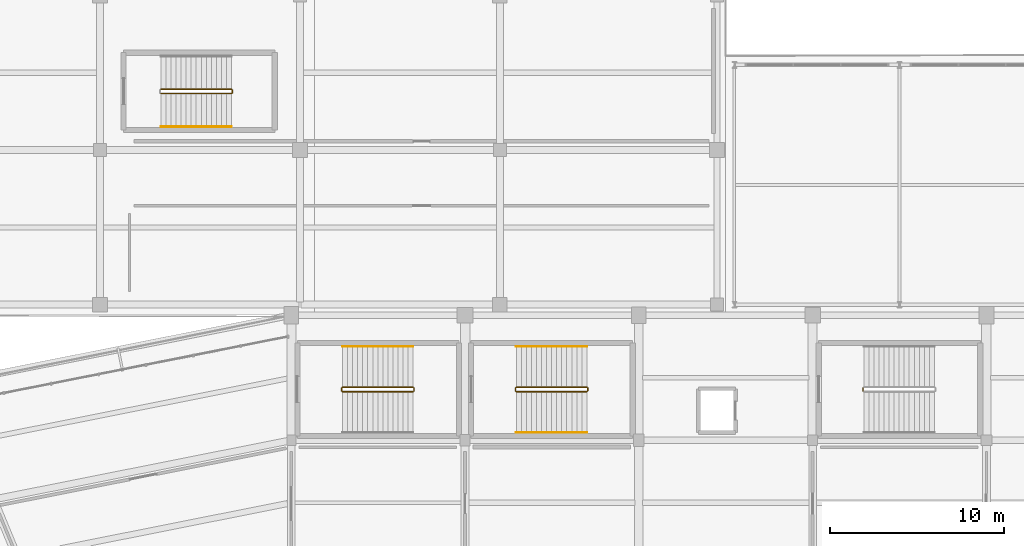
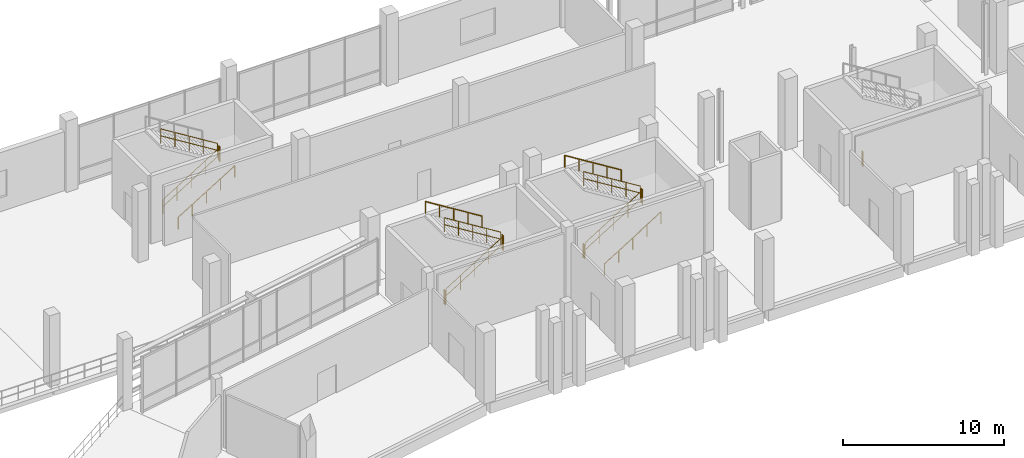
# One storey, part 110 of 114: 16 railings.
"""IFC4 building model written with IfcOpenShell, lengths in metres."""

import ifcopenshell
import ifcopenshell.guid

model = None  # the IFC model being written
_history = None  # IfcOwnerHistory: only IFC2X3 demands one
_inside = {}  # id of a spatial element -> (the spatial element, [elements in it])
_under = {}  # id of a project, library or spatial element -> (it, [spatial elements below it])
_declared = {}  # id of a project -> (the project, [libraries it declares])
_typed = {}  # id of a type object -> (the type object, [elements of that type])
_made_of = {}  # id of a material, layer set ... -> (it, [elements and type objects made of it])


def new_model(schema):
    """Start an empty IFC model of exactly this schema.

    Asked for "IFC4X3", IfcOpenShell would pick the latest addendum, in which some entities
    have other attributes; the version numbers below select the first issue.
    IFC2X3 requires an IfcOwnerHistory on every rooted entity: one is made here for all.
    """
    global model, _history
    if schema == "IFC4X3":
        model = ifcopenshell.file(schema_version=(4, 3, 0, 0))
    else:
        model = ifcopenshell.file(schema=schema)
    _inside.clear()
    _under.clear()
    _declared.clear()
    _typed.clear()
    _made_of.clear()
    _history = None
    if model.schema == "IFC2X3":
        org = make("IfcOrganization", Name="unknown")
        user = make(
            "IfcPersonAndOrganization",
            ThePerson=make("IfcPerson", FamilyName="unknown"),
            TheOrganization=org,
        )
        app = make(
            "IfcApplication",
            ApplicationDeveloper=org,
            Version="unknown",
            ApplicationFullName="unknown",
            ApplicationIdentifier="unknown",
        )
        _history = make(
            "IfcOwnerHistory",
            OwningUser=user,
            OwningApplication=app,
            ChangeAction="ADDED",
            CreationDate=0,
        )
    return model


def make(cls, **values):
    """One entity of the class cls with the attributes given. An attribute that is None is left unset."""
    return model.create_entity(
        cls, **{name: value for name, value in values.items() if value is not None}
    )


def rooted(cls, **values):
    """An entity with a GlobalId (a new one), such as an element, a storey or a relation."""
    return make(cls, GlobalId=ifcopenshell.guid.new(), OwnerHistory=_history, **values)


def si_unit(unit_type, name, prefix=None):
    """IfcSIUnit, for example si_unit("LENGTHUNIT", "METRE", prefix="MILLI")."""
    return make("IfcSIUnit", UnitType=unit_type, Prefix=prefix, Name=name)


def assignment(units):
    """IfcUnitAssignment: the units of a project."""
    return None if units is None else make("IfcUnitAssignment", Units=units)


def point(xyz):
    """IfcCartesianPoint."""
    return None if xyz is None else make("IfcCartesianPoint", Coordinates=xyz)


def direction(xyz):
    """IfcDirection."""
    return None if xyz is None else make("IfcDirection", DirectionRatios=xyz)


def frame(location, z_axis=None, x_axis=None):
    """IfcAxis2Placement3D, a coordinate frame: its origin and axes. An axis left out is left unset."""
    return make(
        "IfcAxis2Placement3D",
        Location=point(location),
        Axis=direction(z_axis),
        RefDirection=direction(x_axis),
    )


def frame_2d(location, x_axis=None):
    """IfcAxis2Placement2D, a coordinate frame in the plane: its origin and x axis."""
    return make(
        "IfcAxis2Placement2D", Location=point(location), RefDirection=direction(x_axis)
    )


def origin():
    """The frame at (0, 0, 0) with its axes left unset."""
    return frame((0.0, 0.0, 0.0))


def origin_2d():
    """The frame at (0, 0) in the plane with its x axis left unset."""
    return frame_2d((0.0, 0.0))


def place(relative_to, where):
    """IfcLocalPlacement: puts the frame where relative to a parent placement (None: the world)."""
    return make(
        "IfcLocalPlacement", PlacementRelTo=relative_to, RelativePlacement=where
    )


def context(
    kind, dimensions, precision=None, world=None, true_north=None, identifier=None
):
    """IfcGeometricRepresentationContext, for example the 3D "Model" context."""
    return make(
        "IfcGeometricRepresentationContext",
        ContextIdentifier=identifier,
        ContextType=kind,
        CoordinateSpaceDimension=dimensions,
        Precision=precision,
        WorldCoordinateSystem=world,
        TrueNorth=true_north,
    )


def subcontext(parent, identifier, kind, view, scale=None):
    """IfcGeometricRepresentationSubContext, for example "Body" below "Model"."""
    return make(
        "IfcGeometricRepresentationSubContext",
        ContextIdentifier=identifier,
        ContextType=kind,
        ParentContext=parent,
        TargetScale=scale,
        TargetView=view,
    )


def project(units=None, contexts=None):
    """IfcProject with its units and contexts."""
    return rooted(
        "IfcProject",
        Name="project",
        RepresentationContexts=contexts,
        UnitsInContext=assignment(units),
    )


def spatial(cls, under=None, at=None, **own):
    """A site, building, storey or space (cls), placed at a placement, below another one or the project."""
    s = rooted(cls, ObjectPlacement=at, **own)
    if under is not None:
        _under.setdefault(under.id(), (under, []))[1].append(s)
    return s


def profile(cls, at=None, kind="AREA", **sizes):
    """A parametric profile (cls). Its sizes go by their IFC names, for example OverallWidth=200.0."""
    return make(cls, ProfileType=kind, Position=at, **sizes)


def circle(**sizes):
    """IfcCircleProfileDef."""
    return profile("IfcCircleProfileDef", **sizes)


def extrude(swept, where, along, depth):
    """IfcExtrudedAreaSolid: the profile swept, set in the frame where, extruded along a direction by depth."""
    return make(
        "IfcExtrudedAreaSolid",
        SweptArea=swept,
        Position=where,
        ExtrudedDirection=direction(along),
        Depth=depth,
    )


def shape(context_of_items, identifier, shape_type, items):
    """IfcShapeRepresentation: the items that make up one representation, for example the "Body"."""
    return make(
        "IfcShapeRepresentation",
        ContextOfItems=context_of_items,
        RepresentationIdentifier=identifier,
        RepresentationType=shape_type,
        Items=items,
    )


def material(Name=None, Category=None):
    """IfcMaterial."""
    return make("IfcMaterial", Name=Name, Category=Category)


def layer(
    of_material, thickness, ventilated=None, Name=None, Category=None, Priority=None
):
    """IfcMaterialLayer: one layer of a wall or slab, of a material (None: an air gap)."""
    return make(
        "IfcMaterialLayer",
        Material=of_material,
        LayerThickness=thickness,
        IsVentilated=ventilated,
        Name=Name,
        Category=Category,
        Priority=Priority,
    )


def layer_set(layers, Name=None):
    """IfcMaterialLayerSet."""
    return make("IfcMaterialLayerSet", MaterialLayers=layers, LayerSetName=Name)


def made_of(thing, what):
    """Note that an element or type object is made of a material, layer set ...; save() writes the relation."""
    if what is not None:
        _made_of.setdefault(what.id(), (what, []))[1].append(thing)
    return thing


def type_object(cls, material=None, **own):
    """A type object (cls), such as IfcWallType, which elements share."""
    return made_of(rooted(cls, **own), material)


def element(
    cls,
    number,
    at=None,
    inside=None,
    cuts=None,
    type_object=None,
    material=None,
    context=None,
    identifier="Body",
    shape_type=None,
    held_by="IfcProductDefinitionShape",
    body=None,
    shapes=None,
    **own,
):
    """One element of the class cls, such as IfcWall. Its Tag is "e" and its number.

    at: its placement. inside: the storey or other place that contains it. cuts: it is an
    opening in that element (IfcRelVoidsElement). A single representation is given by context,
    identifier, shape_type and body (its items); several are given by shapes. held_by: the class
    of the entity that holds the representations. save() writes the other relations.
    """
    e = rooted(cls, Tag="e%d" % number, ObjectPlacement=at, **own)
    if body is not None:
        shapes = [shape(context, identifier, shape_type, body)]
    if shapes is not None:
        e.Representation = make(held_by, Representations=shapes)
    if inside is not None:
        _inside.setdefault(inside.id(), (inside, []))[1].append(e)
    if cuts is not None:
        rooted(
            "IfcRelVoidsElement", RelatingBuildingElement=cuts, RelatedOpeningElement=e
        )
    if type_object is not None:
        _typed.setdefault(type_object.id(), (type_object, []))[1].append(e)
    return made_of(e, material)


def aggregate(whole, parts):
    """IfcRelAggregates: a whole, such as a stair, and the parts it consists of."""
    return rooted("IfcRelAggregates", RelatingObject=whole, RelatedObjects=parts)


def save(model, path):
    """Write the relations noted so far, then the file.

    IfcRelAggregates (storeys below a building ...), IfcRelContainedInSpatialStructure (elements
    in a storey), IfcRelDefinesByType, IfcRelAssociatesMaterial and IfcRelDeclares: one each for
    every whole, place, type object, material and project.
    """
    for whole, parts in _under.values():
        aggregate(whole, parts)
    for where, things in _inside.values():
        rooted(
            "IfcRelContainedInSpatialStructure",
            RelatedElements=things,
            RelatingStructure=where,
        )
    for kind, things in _typed.values():
        rooted("IfcRelDefinesByType", RelatedObjects=things, RelatingType=kind)
    for what, things in _made_of.values():
        rooted("IfcRelAssociatesMaterial", RelatedObjects=things, RelatingMaterial=what)
    for by, libraries in _declared.values():
        rooted("IfcRelDeclares", RelatingContext=by, RelatedDefinitions=libraries)
    model.write(path)


model = new_model("IFC4")

# Units and contexts
model_context = context("Model", 3, precision=1e-05, world=origin(), true_north=direction((0.0, 1.0)))
body_context = subcontext(model_context, "Body", "Model", "MODEL_VIEW")
ifc_project = project(units=[si_unit("LENGTHUNIT", "METRE"), si_unit("AREAUNIT", "SQUARE_METRE"), si_unit("VOLUMEUNIT", "CUBIC_METRE"), si_unit("PLANEANGLEUNIT", "RADIAN"), si_unit("MASSUNIT", "GRAM", prefix="KILO")], contexts=[model_context])

# Site, building, storey
site_placement = place(None, origin())
site = spatial("IfcSite", under=ifc_project, at=site_placement, CompositionType="ELEMENT")
building_placement = place(site_placement, origin())
building = spatial("IfcBuilding", under=site, at=building_placement, Name="Candeia Ridge Stadium", CompositionType="ELEMENT")
storey_placement = place(building_placement, frame((0.0, 0.0, 5.39990234375)))
storey = spatial("IfcBuildingStorey", under=building, at=storey_placement, Name="L01", CompositionType="ELEMENT", Elevation=5.39990234375)

# Railings
ifc_material_1 = material(Name="Brushed Stainless Steel", Category="steel")
ifc_layer_1 = layer(ifc_material_1, 0.048095703125, Name="Brushed Stainless Steel", Category="steel")
ifc_layer_set_1 = layer_set([ifc_layer_1], Name="Brushed Stainless Steel")
railing_type_1 = type_object("IfcRailingType", Name="Stair Wall & Flight Handrail 900", PredefinedType="HANDRAIL", material=ifc_layer_set_1)
railing_1_placement = place(storey_placement, frame((78.010009765625, 145.199951171875, 2.880126953125)))
element("IfcRailing", 1, at=railing_1_placement, inside=storey, type_object=railing_type_1, Name="L01 ST01 stair handrail 2", PredefinedType="HANDRAIL", context=body_context, shape_type="SweptSolid", body=[
    extrude(circle(Radius=0.02392578125, at=origin_2d()), frame((0.0, 0.0, 0.8759765625), z_axis=(-0.849641744969, 0.0, 0.527360318194), x_axis=(0.0, -1.0, 0.0)), (0.0, 0.0, 1.0), 4.778564453125),
    extrude(circle(Radius=0.02099609375, at=origin_2d()), origin(), (0.0, 0.0, 1.0), 0.851806640625),
    extrude(circle(Radius=0.02099609375, at=origin_2d()), frame((-1.01513671875, 0.0, 0.6298828125)), (0.0, 0.0, 1.0), 0.851806640625),
    extrude(circle(Radius=0.02099609375, at=origin_2d()), frame((-2.030029296875, 0.0, 1.260009765625)), (0.0, 0.0, 1.0), 0.851806640625),
    extrude(circle(Radius=0.02099609375, at=origin_2d()), frame((-3.044921875, 0.0, 1.89013671875)), (0.0, 0.0, 1.0), 0.851806640625),
    extrude(circle(Radius=0.02099609375, at=origin_2d()), frame((-4.06005859375, 0.0, 2.52001953125)), (0.0, 0.0, 1.0), 0.851806640625),
])
railing_2_placement = place(storey_placement, frame((83.949951171875, 140.25, 0.18017578125)))
element("IfcRailing", 2, at=railing_2_placement, inside=storey, type_object=railing_type_1, Name="L01 ST09 stair handrail 1", PredefinedType="HANDRAIL", context=body_context, shape_type="SweptSolid", body=[
    extrude(circle(Radius=0.02392578125, at=origin_2d()), frame((0.0, 0.0, 0.8759765625), z_axis=(0.849641744969, 0.0, 0.527360318194), x_axis=(0.0, 1.0, 0.0)), (0.0, 0.0, 1.0), 4.778564453125),
    extrude(circle(Radius=0.02099609375, at=origin_2d()), origin(), (0.0, 0.0, 1.0), 0.851806640625),
    extrude(circle(Radius=0.02099609375, at=origin_2d()), frame((1.01513671875, 0.0, 0.6298828125)), (0.0, 0.0, 1.0), 0.851806640625),
    extrude(circle(Radius=0.02099609375, at=origin_2d()), frame((2.030029296875, 0.0, 1.260009765625)), (0.0, 0.0, 1.0), 0.851806640625),
    extrude(circle(Radius=0.02099609375, at=origin_2d()), frame((3.044921875, 0.0, 1.89013671875)), (0.0, 0.0, 1.0), 0.851806640625),
    extrude(circle(Radius=0.02099609375, at=origin_2d()), frame((4.06005859375, 0.0, 2.52001953125)), (0.0, 0.0, 1.0), 0.851806640625),
])
railing_3_placement = place(storey_placement, frame((88.010009765625, 145.199951171875, 2.880126953125)))
element("IfcRailing", 3, at=railing_3_placement, inside=storey, type_object=railing_type_1, Name="L01 ST09 stair handrail 2", PredefinedType="HANDRAIL", context=body_context, shape_type="SweptSolid", body=[
    extrude(circle(Radius=0.02392578125, at=origin_2d()), frame((0.0, 0.0, 0.8759765625), z_axis=(-0.849641744969, 0.0, 0.527360318194), x_axis=(0.0, -1.0, 0.0)), (0.0, 0.0, 1.0), 4.778564453125),
    extrude(circle(Radius=0.02099609375, at=origin_2d()), origin(), (0.0, 0.0, 1.0), 0.851806640625),
    extrude(circle(Radius=0.02099609375, at=origin_2d()), frame((-1.01513671875, 0.0, 0.6298828125)), (0.0, 0.0, 1.0), 0.851806640625),
    extrude(circle(Radius=0.02099609375, at=origin_2d()), frame((-2.030029296875, 0.0, 1.260009765625)), (0.0, 0.0, 1.0), 0.851806640625),
    extrude(circle(Radius=0.02099609375, at=origin_2d()), frame((-3.044921875, 0.0, 1.89013671875)), (0.0, 0.0, 1.0), 0.851806640625),
    extrude(circle(Radius=0.02099609375, at=origin_2d()), frame((-4.06005859375, 0.0, 2.52001953125)), (0.0, 0.0, 1.0), 0.851806640625),
])
railing_4_placement = place(storey_placement, frame((63.5, 157.85009765625, 0.18017578125)))
element("IfcRailing", 4, at=railing_4_placement, inside=storey, type_object=railing_type_1, Name="L01 ST15 stair handrail 1", PredefinedType="HANDRAIL", context=body_context, shape_type="SweptSolid", body=[
    extrude(circle(Radius=0.02392578125, at=origin_2d()), frame((0.0, 0.0, 0.8759765625), z_axis=(0.849641744969, 0.0, 0.527360318194), x_axis=(0.0, 1.0, 0.0)), (0.0, 0.0, 1.0), 4.778564453125),
    extrude(circle(Radius=0.02099609375, at=origin_2d()), origin(), (0.0, 0.0, 1.0), 0.851806640625),
    extrude(circle(Radius=0.02099609375, at=origin_2d()), frame((1.01513671875, 0.0, 0.6298828125)), (0.0, 0.0, 1.0), 0.851806640625),
    extrude(circle(Radius=0.02099609375, at=origin_2d()), frame((2.030029296875, 0.0, 1.260009765625)), (0.0, 0.0, 1.0), 0.851806640625),
    extrude(circle(Radius=0.02099609375, at=origin_2d()), frame((3.044921875, 0.0, 1.89013671875)), (0.0, 0.0, 1.0), 0.851806640625),
    extrude(circle(Radius=0.02099609375, at=origin_2d()), frame((4.06005859375, 0.0, 2.52001953125)), (0.0, 0.0, 1.0), 0.851806640625),
])
ifc_material_2 = material(Name="Galvanized Powder-Coated Steel", Category="steel")
ifc_layer_2 = layer(ifc_material_2, 0.06005859375, Name="Galvanized Powder-Coated Steel", Category="steel")
ifc_layer_set_2 = layer_set([ifc_layer_2], Name="Galvanized Powder-Coated Steel")
railing_type_2 = type_object("IfcRailingType", Name="Stair Well Guardrail 1100", PredefinedType="GUARDRAIL", material=ifc_layer_set_2)
railing_5_placement = place(storey_placement, frame((73.949951171875, 142.60009765625, 0.18017578125)))
element("IfcRailing", 5, at=railing_5_placement, inside=storey, type_object=railing_type_2, Name="L01 ST01 stair guard 1", PredefinedType="GUARDRAIL", context=body_context, shape_type="SweptSolid", body=[
    extrude(circle(Radius=0.02392578125, at=origin_2d()), frame((0.0, 0.0, 1.076171875), z_axis=(0.849641744969, 0.0, 0.527360318194), x_axis=(0.0, 1.0, 0.0)), (0.0, 0.0, 1.0), 4.778564453125),
    extrude(circle(Radius=0.02392578125, at=origin_2d()), frame((0.0, 0.0, 0.550048828125), z_axis=(0.849641744969, 0.0, 0.527360318194), x_axis=(0.0, 1.0, 0.0)), (0.0, 0.0, 1.0), 4.778564453125),
    extrude(circle(Radius=0.02099609375, at=origin_2d()), origin(), (0.0, 0.0, 1.0), 1.052001953125),
    extrude(circle(Radius=0.02099609375, at=origin_2d()), frame((1.01513671875, 0.0, 0.6298828125)), (0.0, 0.0, 1.0), 1.052001953125),
    extrude(circle(Radius=0.02099609375, at=origin_2d()), frame((2.030029296875, 0.0, 1.260009765625)), (0.0, 0.0, 1.0), 1.052001953125),
    extrude(circle(Radius=0.02099609375, at=origin_2d()), frame((3.044921875, 0.0, 1.89013671875)), (0.0, 0.0, 1.0), 1.052001953125),
    extrude(circle(Radius=0.02099609375, at=origin_2d()), frame((4.06005859375, 0.0, 2.52001953125)), (0.0, 0.0, 1.0), 1.052001953125),
])
railing_6_placement = place(storey_placement, frame((78.06005859375, 142.64990234375, 2.7001953125)))
element("IfcRailing", 6, at=railing_6_placement, inside=storey, type_object=railing_type_2, Name="L01 ST01 stair guard 2", PredefinedType="GUARDRAIL", context=body_context, shape_type="SweptSolid", body=[
    extrude(circle(Radius=0.02392578125, at=origin_2d()), frame((0.0, 0.0, 1.076171875), z_axis=(0.0, 1.0, 0.0), x_axis=(-1.0, 0.0, 0.0)), (0.0, 0.0, 1.0), 0.150146484375),
    extrude(circle(Radius=0.02392578125, at=origin_2d()), frame((0.0, 0.0, 0.550048828125), z_axis=(0.0, 1.0, 0.0), x_axis=(-1.0, 0.0, 0.0)), (0.0, 0.0, 1.0), 0.150146484375),
    extrude(circle(Radius=0.02099609375, at=origin_2d()), origin(), (0.0, 0.0, 1.0), 1.052001953125),
    extrude(circle(Radius=0.02099609375, at=origin_2d()), frame((0.0, 0.150146484375, 0.0)), (0.0, 0.0, 1.0), 1.052001953125),
])
railing_7_placement = place(storey_placement, frame((78.010009765625, 142.85009765625, 2.880126953125)))
element("IfcRailing", 7, at=railing_7_placement, inside=storey, type_object=railing_type_2, Name="L01 ST01 stair guard 3", PredefinedType="GUARDRAIL", context=body_context, shape_type="SweptSolid", body=[
    extrude(circle(Radius=0.02392578125, at=origin_2d()), frame((0.0, 0.0, 1.076171875), z_axis=(-0.849641744969, 0.0, 0.527360318194), x_axis=(0.0, -1.0, 0.0)), (0.0, 0.0, 1.0), 4.778564453125),
    extrude(circle(Radius=0.02392578125, at=origin_2d()), frame((0.0, 0.0, 0.550048828125), z_axis=(-0.849641744969, 0.0, 0.527360318194), x_axis=(0.0, -1.0, 0.0)), (0.0, 0.0, 1.0), 4.778564453125),
    extrude(circle(Radius=0.02099609375, at=origin_2d()), origin(), (0.0, 0.0, 1.0), 1.052001953125),
    extrude(circle(Radius=0.02099609375, at=origin_2d()), frame((-1.01513671875, 0.0, 0.6298828125)), (0.0, 0.0, 1.0), 1.052001953125),
    extrude(circle(Radius=0.02099609375, at=origin_2d()), frame((-2.030029296875, 0.0, 1.260009765625)), (0.0, 0.0, 1.0), 1.052001953125),
    extrude(circle(Radius=0.02099609375, at=origin_2d()), frame((-3.044921875, 0.0, 1.89013671875)), (0.0, 0.0, 1.0), 1.052001953125),
    extrude(circle(Radius=0.02099609375, at=origin_2d()), frame((-4.06005859375, 0.0, 2.52001953125)), (0.0, 0.0, 1.0), 1.052001953125),
])
railing_8_placement = place(storey_placement, frame((73.89990234375, 142.64990234375, 0.0)))
element("IfcRailing", 8, at=railing_8_placement, inside=storey, type_object=railing_type_2, Name="L01 ST01 stair guard 4", PredefinedType="GUARDRAIL", context=body_context, shape_type="SweptSolid", body=[
    extrude(circle(Radius=0.02392578125, at=origin_2d()), frame((0.0, 0.0, 1.076171875), z_axis=(0.0, 1.0, 0.0), x_axis=(-1.0, 0.0, 0.0)), (0.0, 0.0, 1.0), 0.150146484375),
    extrude(circle(Radius=0.02392578125, at=origin_2d()), frame((0.0, 0.0, 0.550048828125), z_axis=(0.0, 1.0, 0.0), x_axis=(-1.0, 0.0, 0.0)), (0.0, 0.0, 1.0), 0.150146484375),
    extrude(circle(Radius=0.02099609375, at=origin_2d()), origin(), (0.0, 0.0, 1.0), 1.052001953125),
    extrude(circle(Radius=0.02099609375, at=origin_2d()), frame((0.0, 0.150146484375, 0.0)), (0.0, 0.0, 1.0), 1.052001953125),
])
railing_9_placement = place(storey_placement, frame((83.949951171875, 142.60009765625, 0.18017578125)))
element("IfcRailing", 9, at=railing_9_placement, inside=storey, type_object=railing_type_2, Name="L01 ST09 stair guard 1", PredefinedType="GUARDRAIL", context=body_context, shape_type="SweptSolid", body=[
    extrude(circle(Radius=0.02392578125, at=origin_2d()), frame((0.0, 0.0, 1.076171875), z_axis=(0.849641744969, 0.0, 0.527360318194), x_axis=(0.0, 1.0, 0.0)), (0.0, 0.0, 1.0), 4.778564453125),
    extrude(circle(Radius=0.02392578125, at=origin_2d()), frame((0.0, 0.0, 0.550048828125), z_axis=(0.849641744969, 0.0, 0.527360318194), x_axis=(0.0, 1.0, 0.0)), (0.0, 0.0, 1.0), 4.778564453125),
    extrude(circle(Radius=0.02099609375, at=origin_2d()), origin(), (0.0, 0.0, 1.0), 1.052001953125),
    extrude(circle(Radius=0.02099609375, at=origin_2d()), frame((1.01513671875, 0.0, 0.6298828125)), (0.0, 0.0, 1.0), 1.052001953125),
    extrude(circle(Radius=0.02099609375, at=origin_2d()), frame((2.030029296875, 0.0, 1.260009765625)), (0.0, 0.0, 1.0), 1.052001953125),
    extrude(circle(Radius=0.02099609375, at=origin_2d()), frame((3.044921875, 0.0, 1.89013671875)), (0.0, 0.0, 1.0), 1.052001953125),
    extrude(circle(Radius=0.02099609375, at=origin_2d()), frame((4.06005859375, 0.0, 2.52001953125)), (0.0, 0.0, 1.0), 1.052001953125),
])
railing_10_placement = place(storey_placement, frame((88.06005859375, 142.64990234375, 2.7001953125)))
element("IfcRailing", 10, at=railing_10_placement, inside=storey, type_object=railing_type_2, Name="L01 ST09 stair guard 2", PredefinedType="GUARDRAIL", context=body_context, shape_type="SweptSolid", body=[
    extrude(circle(Radius=0.02392578125, at=origin_2d()), frame((0.0, 0.0, 1.076171875), z_axis=(0.0, 1.0, 0.0), x_axis=(-1.0, 0.0, 0.0)), (0.0, 0.0, 1.0), 0.150146484375),
    extrude(circle(Radius=0.02392578125, at=origin_2d()), frame((0.0, 0.0, 0.550048828125), z_axis=(0.0, 1.0, 0.0), x_axis=(-1.0, 0.0, 0.0)), (0.0, 0.0, 1.0), 0.150146484375),
    extrude(circle(Radius=0.02099609375, at=origin_2d()), origin(), (0.0, 0.0, 1.0), 1.052001953125),
    extrude(circle(Radius=0.02099609375, at=origin_2d()), frame((0.0, 0.150146484375, 0.0)), (0.0, 0.0, 1.0), 1.052001953125),
])
railing_11_placement = place(storey_placement, frame((88.010009765625, 142.85009765625, 2.880126953125)))
element("IfcRailing", 11, at=railing_11_placement, inside=storey, type_object=railing_type_2, Name="L01 ST09 stair guard 3", PredefinedType="GUARDRAIL", context=body_context, shape_type="SweptSolid", body=[
    extrude(circle(Radius=0.02392578125, at=origin_2d()), frame((0.0, 0.0, 1.076171875), z_axis=(-0.849641744969, 0.0, 0.527360318194), x_axis=(0.0, -1.0, 0.0)), (0.0, 0.0, 1.0), 4.778564453125),
    extrude(circle(Radius=0.02392578125, at=origin_2d()), frame((0.0, 0.0, 0.550048828125), z_axis=(-0.849641744969, 0.0, 0.527360318194), x_axis=(0.0, -1.0, 0.0)), (0.0, 0.0, 1.0), 4.778564453125),
    extrude(circle(Radius=0.02099609375, at=origin_2d()), origin(), (0.0, 0.0, 1.0), 1.052001953125),
    extrude(circle(Radius=0.02099609375, at=origin_2d()), frame((-1.01513671875, 0.0, 0.6298828125)), (0.0, 0.0, 1.0), 1.052001953125),
    extrude(circle(Radius=0.02099609375, at=origin_2d()), frame((-2.030029296875, 0.0, 1.260009765625)), (0.0, 0.0, 1.0), 1.052001953125),
    extrude(circle(Radius=0.02099609375, at=origin_2d()), frame((-3.044921875, 0.0, 1.89013671875)), (0.0, 0.0, 1.0), 1.052001953125),
    extrude(circle(Radius=0.02099609375, at=origin_2d()), frame((-4.06005859375, 0.0, 2.52001953125)), (0.0, 0.0, 1.0), 1.052001953125),
])
railing_12_placement = place(storey_placement, frame((83.89990234375, 142.64990234375, 0.0)))
element("IfcRailing", 12, at=railing_12_placement, inside=storey, type_object=railing_type_2, Name="L01 ST09 stair guard 4", PredefinedType="GUARDRAIL", context=body_context, shape_type="SweptSolid", body=[
    extrude(circle(Radius=0.02392578125, at=origin_2d()), frame((0.0, 0.0, 1.076171875), z_axis=(0.0, 1.0, 0.0), x_axis=(-1.0, 0.0, 0.0)), (0.0, 0.0, 1.0), 0.150146484375),
    extrude(circle(Radius=0.02392578125, at=origin_2d()), frame((0.0, 0.0, 0.550048828125), z_axis=(0.0, 1.0, 0.0), x_axis=(-1.0, 0.0, 0.0)), (0.0, 0.0, 1.0), 0.150146484375),
    extrude(circle(Radius=0.02099609375, at=origin_2d()), origin(), (0.0, 0.0, 1.0), 1.052001953125),
    extrude(circle(Radius=0.02099609375, at=origin_2d()), frame((0.0, 0.150146484375, 0.0)), (0.0, 0.0, 1.0), 1.052001953125),
])
railing_13_placement = place(storey_placement, frame((63.5, 159.75, 0.18017578125)))
element("IfcRailing", 13, at=railing_13_placement, inside=storey, type_object=railing_type_2, Name="L01 ST15 stair guard 1", PredefinedType="GUARDRAIL", context=body_context, shape_type="SweptSolid", body=[
    extrude(circle(Radius=0.02392578125, at=origin_2d()), frame((0.0, 0.0, 1.076171875), z_axis=(0.849641744969, 0.0, 0.527360318194), x_axis=(0.0, 1.0, 0.0)), (0.0, 0.0, 1.0), 4.778564453125),
    extrude(circle(Radius=0.02392578125, at=origin_2d()), frame((0.0, 0.0, 0.550048828125), z_axis=(0.849641744969, 0.0, 0.527360318194), x_axis=(0.0, 1.0, 0.0)), (0.0, 0.0, 1.0), 4.778564453125),
    extrude(circle(Radius=0.02099609375, at=origin_2d()), origin(), (0.0, 0.0, 1.0), 1.052001953125),
    extrude(circle(Radius=0.02099609375, at=origin_2d()), frame((1.01513671875, 0.0, 0.6298828125)), (0.0, 0.0, 1.0), 1.052001953125),
    extrude(circle(Radius=0.02099609375, at=origin_2d()), frame((2.030029296875, 0.0, 1.260009765625)), (0.0, 0.0, 1.0), 1.052001953125),
    extrude(circle(Radius=0.02099609375, at=origin_2d()), frame((3.044921875, 0.0, 1.89013671875)), (0.0, 0.0, 1.0), 1.052001953125),
    extrude(circle(Radius=0.02099609375, at=origin_2d()), frame((4.06005859375, 0.0, 2.52001953125)), (0.0, 0.0, 1.0), 1.052001953125),
])
railing_14_placement = place(storey_placement, frame((67.610107421875, 159.800048828125, 2.7001953125)))
element("IfcRailing", 14, at=railing_14_placement, inside=storey, type_object=railing_type_2, Name="L01 ST15 stair guard 2", PredefinedType="GUARDRAIL", context=body_context, shape_type="SweptSolid", body=[
    extrude(circle(Radius=0.02392578125, at=origin_2d()), frame((0.0, 0.0, 1.076171875), z_axis=(0.0, 1.0, 0.0), x_axis=(-1.0, 0.0, 0.0)), (0.0, 0.0, 1.0), 0.14990234375),
    extrude(circle(Radius=0.02392578125, at=origin_2d()), frame((0.0, 0.0, 0.550048828125), z_axis=(0.0, 1.0, 0.0), x_axis=(-1.0, 0.0, 0.0)), (0.0, 0.0, 1.0), 0.14990234375),
    extrude(circle(Radius=0.02099609375, at=origin_2d()), origin(), (0.0, 0.0, 1.0), 1.052001953125),
    extrude(circle(Radius=0.02099609375, at=origin_2d()), frame((0.0, 0.14990234375, 0.0)), (0.0, 0.0, 1.0), 1.052001953125),
])
railing_15_placement = place(storey_placement, frame((67.56005859375, 160.0, 2.880126953125)))
element("IfcRailing", 15, at=railing_15_placement, inside=storey, type_object=railing_type_2, Name="L01 ST15 stair guard 3", PredefinedType="GUARDRAIL", context=body_context, shape_type="SweptSolid", body=[
    extrude(circle(Radius=0.02392578125, at=origin_2d()), frame((0.0, 0.0, 1.076171875), z_axis=(-0.849641744969, 0.0, 0.527360318194), x_axis=(0.0, -1.0, 0.0)), (0.0, 0.0, 1.0), 4.778564453125),
    extrude(circle(Radius=0.02392578125, at=origin_2d()), frame((0.0, 0.0, 0.550048828125), z_axis=(-0.849641744969, 0.0, 0.527360318194), x_axis=(0.0, -1.0, 0.0)), (0.0, 0.0, 1.0), 4.778564453125),
    extrude(circle(Radius=0.02099609375, at=origin_2d()), origin(), (0.0, 0.0, 1.0), 1.052001953125),
    extrude(circle(Radius=0.02099609375, at=origin_2d()), frame((-1.01513671875, 0.0, 0.6298828125)), (0.0, 0.0, 1.0), 1.052001953125),
    extrude(circle(Radius=0.02099609375, at=origin_2d()), frame((-2.030029296875, 0.0, 1.260009765625)), (0.0, 0.0, 1.0), 1.052001953125),
    extrude(circle(Radius=0.02099609375, at=origin_2d()), frame((-3.044921875, 0.0, 1.89013671875)), (0.0, 0.0, 1.0), 1.052001953125),
    extrude(circle(Radius=0.02099609375, at=origin_2d()), frame((-4.06005859375, 0.0, 2.52001953125)), (0.0, 0.0, 1.0), 1.052001953125),
])
railing_16_placement = place(storey_placement, frame((103.89990234375, 142.64990234375, 0.0)))
element("IfcRailing", 16, at=railing_16_placement, inside=storey, type_object=railing_type_2, Name="L01 ST17 stair guard 4", PredefinedType="GUARDRAIL", context=body_context, shape_type="SweptSolid", body=[
    extrude(circle(Radius=0.02392578125, at=origin_2d()), frame((0.0, 0.0, 1.076171875), z_axis=(0.0, 1.0, 0.0), x_axis=(-1.0, 0.0, 0.0)), (0.0, 0.0, 1.0), 0.150146484375),
    extrude(circle(Radius=0.02392578125, at=origin_2d()), frame((0.0, 0.0, 0.550048828125), z_axis=(0.0, 1.0, 0.0), x_axis=(-1.0, 0.0, 0.0)), (0.0, 0.0, 1.0), 0.150146484375),
    extrude(circle(Radius=0.02099609375, at=origin_2d()), origin(), (0.0, 0.0, 1.0), 1.052001953125),
    extrude(circle(Radius=0.02099609375, at=origin_2d()), frame((0.0, 0.150146484375, 0.0)), (0.0, 0.0, 1.0), 1.052001953125),
])

save(model, "model.ifc")
